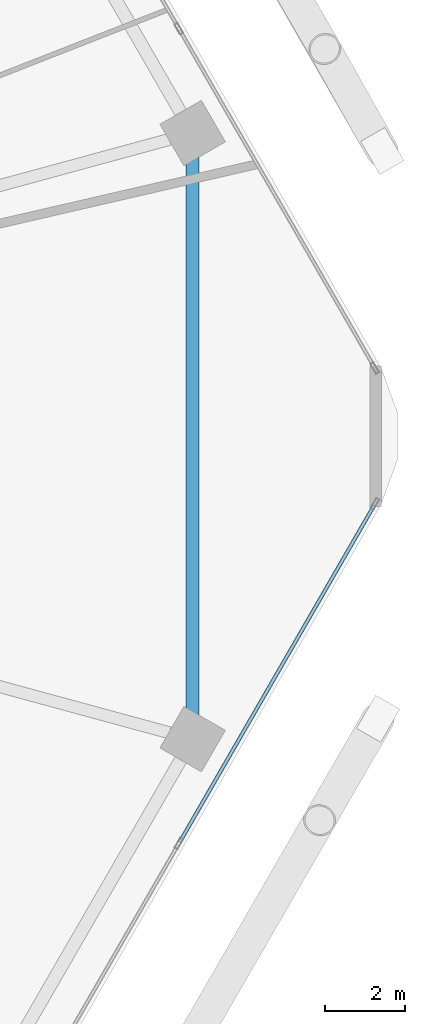
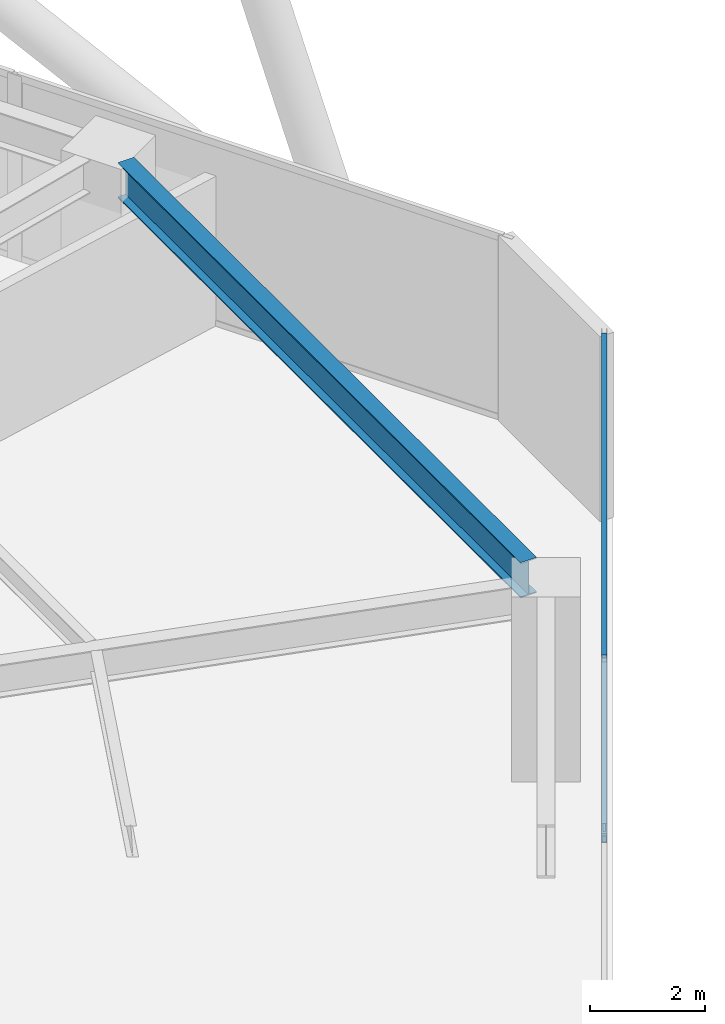
# One storey, part 12 of 29: 2 members, 1 beam, 1 element without a shape of its own.
"""IFC4 building model written with IfcOpenShell, lengths in metres."""

import ifcopenshell
import ifcopenshell.guid

model = None  # the IFC model being written
_history = None  # IfcOwnerHistory: only IFC2X3 demands one
_inside = {}  # id of a spatial element -> (the spatial element, [elements in it])
_under = {}  # id of a project, library or spatial element -> (it, [spatial elements below it])
_declared = {}  # id of a project -> (the project, [libraries it declares])
_typed = {}  # id of a type object -> (the type object, [elements of that type])
_made_of = {}  # id of a material, layer set ... -> (it, [elements and type objects made of it])


def new_model(schema):
    """Start an empty IFC model of exactly this schema.

    Asked for "IFC4X3", IfcOpenShell would pick the latest addendum, in which some entities
    have other attributes; the version numbers below select the first issue.
    IFC2X3 requires an IfcOwnerHistory on every rooted entity: one is made here for all.
    """
    global model, _history
    if schema == "IFC4X3":
        model = ifcopenshell.file(schema_version=(4, 3, 0, 0))
    else:
        model = ifcopenshell.file(schema=schema)
    _inside.clear()
    _under.clear()
    _declared.clear()
    _typed.clear()
    _made_of.clear()
    _history = None
    if model.schema == "IFC2X3":
        org = make("IfcOrganization", Name="unknown")
        user = make(
            "IfcPersonAndOrganization",
            ThePerson=make("IfcPerson", FamilyName="unknown"),
            TheOrganization=org,
        )
        app = make(
            "IfcApplication",
            ApplicationDeveloper=org,
            Version="unknown",
            ApplicationFullName="unknown",
            ApplicationIdentifier="unknown",
        )
        _history = make(
            "IfcOwnerHistory",
            OwningUser=user,
            OwningApplication=app,
            ChangeAction="ADDED",
            CreationDate=0,
        )
    return model


def make(cls, **values):
    """One entity of the class cls with the attributes given. An attribute that is None is left unset."""
    return model.create_entity(
        cls, **{name: value for name, value in values.items() if value is not None}
    )


def rooted(cls, **values):
    """An entity with a GlobalId (a new one), such as an element, a storey or a relation."""
    return make(cls, GlobalId=ifcopenshell.guid.new(), OwnerHistory=_history, **values)


def si_unit(unit_type, name, prefix=None):
    """IfcSIUnit, for example si_unit("LENGTHUNIT", "METRE", prefix="MILLI")."""
    return make("IfcSIUnit", UnitType=unit_type, Prefix=prefix, Name=name)


def assignment(units):
    """IfcUnitAssignment: the units of a project."""
    return None if units is None else make("IfcUnitAssignment", Units=units)


def point(xyz):
    """IfcCartesianPoint."""
    return None if xyz is None else make("IfcCartesianPoint", Coordinates=xyz)


def direction(xyz):
    """IfcDirection."""
    return None if xyz is None else make("IfcDirection", DirectionRatios=xyz)


def frame(location, z_axis=None, x_axis=None):
    """IfcAxis2Placement3D, a coordinate frame: its origin and axes. An axis left out is left unset."""
    return make(
        "IfcAxis2Placement3D",
        Location=point(location),
        Axis=direction(z_axis),
        RefDirection=direction(x_axis),
    )


def frame_2d(location, x_axis=None):
    """IfcAxis2Placement2D, a coordinate frame in the plane: its origin and x axis."""
    return make(
        "IfcAxis2Placement2D", Location=point(location), RefDirection=direction(x_axis)
    )


def origin():
    """The frame at (0, 0, 0) with its axes left unset."""
    return frame((0.0, 0.0, 0.0))


def origin_2d():
    """The frame at (0, 0) in the plane with its x axis left unset."""
    return frame_2d((0.0, 0.0))


def place(relative_to, where):
    """IfcLocalPlacement: puts the frame where relative to a parent placement (None: the world)."""
    return make(
        "IfcLocalPlacement", PlacementRelTo=relative_to, RelativePlacement=where
    )


def context(
    kind, dimensions, precision=None, world=None, true_north=None, identifier=None
):
    """IfcGeometricRepresentationContext, for example the 3D "Model" context."""
    return make(
        "IfcGeometricRepresentationContext",
        ContextIdentifier=identifier,
        ContextType=kind,
        CoordinateSpaceDimension=dimensions,
        Precision=precision,
        WorldCoordinateSystem=world,
        TrueNorth=true_north,
    )


def subcontext(parent, identifier, kind, view, scale=None):
    """IfcGeometricRepresentationSubContext, for example "Body" below "Model"."""
    return make(
        "IfcGeometricRepresentationSubContext",
        ContextIdentifier=identifier,
        ContextType=kind,
        ParentContext=parent,
        TargetScale=scale,
        TargetView=view,
    )


def project(units=None, contexts=None):
    """IfcProject with its units and contexts."""
    return rooted(
        "IfcProject",
        Name="project",
        RepresentationContexts=contexts,
        UnitsInContext=assignment(units),
    )


def spatial(cls, under=None, at=None, **own):
    """A site, building, storey or space (cls), placed at a placement, below another one or the project."""
    s = rooted(cls, ObjectPlacement=at, **own)
    if under is not None:
        _under.setdefault(under.id(), (under, []))[1].append(s)
    return s


def profile(cls, at=None, kind="AREA", **sizes):
    """A parametric profile (cls). Its sizes go by their IFC names, for example OverallWidth=200.0."""
    return make(cls, ProfileType=kind, Position=at, **sizes)


def hollow_rectangle(**sizes):
    """IfcRectangleHollowProfileDef."""
    return profile("IfcRectangleHollowProfileDef", **sizes)


def i_section(**sizes):
    """IfcIShapeProfileDef."""
    return profile("IfcIShapeProfileDef", **sizes)


def extrude(swept, where, along, depth):
    """IfcExtrudedAreaSolid: the profile swept, set in the frame where, extruded along a direction by depth."""
    return make(
        "IfcExtrudedAreaSolid",
        SweptArea=swept,
        Position=where,
        ExtrudedDirection=direction(along),
        Depth=depth,
    )


def shape(context_of_items, identifier, shape_type, items):
    """IfcShapeRepresentation: the items that make up one representation, for example the "Body"."""
    return make(
        "IfcShapeRepresentation",
        ContextOfItems=context_of_items,
        RepresentationIdentifier=identifier,
        RepresentationType=shape_type,
        Items=items,
    )


def material(Name=None, Category=None):
    """IfcMaterial."""
    return make("IfcMaterial", Name=Name, Category=Category)


def material_profile(
    of_material, cross_section, Name=None, Category=None, Priority=None
):
    """IfcMaterialProfile: a cross section and its material."""
    return make(
        "IfcMaterialProfile",
        Name=Name,
        Material=of_material,
        Profile=cross_section,
        Priority=Priority,
        Category=Category,
    )


def profile_set(profiles, Name=None, composite=None):
    """IfcMaterialProfileSet."""
    return make(
        "IfcMaterialProfileSet",
        Name=Name,
        MaterialProfiles=profiles,
        CompositeProfile=composite,
    )


def made_of(thing, what):
    """Note that an element or type object is made of a material, layer set ...; save() writes the relation."""
    if what is not None:
        _made_of.setdefault(what.id(), (what, []))[1].append(thing)
    return thing


def type_object(cls, material=None, **own):
    """A type object (cls), such as IfcWallType, which elements share."""
    return made_of(rooted(cls, **own), material)


def element(
    cls,
    number,
    at=None,
    inside=None,
    cuts=None,
    type_object=None,
    material=None,
    context=None,
    identifier="Body",
    shape_type=None,
    held_by="IfcProductDefinitionShape",
    body=None,
    shapes=None,
    **own,
):
    """One element of the class cls, such as IfcWall. Its Tag is "e" and its number.

    at: its placement. inside: the storey or other place that contains it. cuts: it is an
    opening in that element (IfcRelVoidsElement). A single representation is given by context,
    identifier, shape_type and body (its items); several are given by shapes. held_by: the class
    of the entity that holds the representations. save() writes the other relations.
    """
    e = rooted(cls, Tag="e%d" % number, ObjectPlacement=at, **own)
    if body is not None:
        shapes = [shape(context, identifier, shape_type, body)]
    if shapes is not None:
        e.Representation = make(held_by, Representations=shapes)
    if inside is not None:
        _inside.setdefault(inside.id(), (inside, []))[1].append(e)
    if cuts is not None:
        rooted(
            "IfcRelVoidsElement", RelatingBuildingElement=cuts, RelatedOpeningElement=e
        )
    if type_object is not None:
        _typed.setdefault(type_object.id(), (type_object, []))[1].append(e)
    return made_of(e, material)


def aggregate(whole, parts):
    """IfcRelAggregates: a whole, such as a stair, and the parts it consists of."""
    return rooted("IfcRelAggregates", RelatingObject=whole, RelatedObjects=parts)


def save(model, path):
    """Write the relations noted so far, then the file.

    IfcRelAggregates (storeys below a building ...), IfcRelContainedInSpatialStructure (elements
    in a storey), IfcRelDefinesByType, IfcRelAssociatesMaterial and IfcRelDeclares: one each for
    every whole, place, type object, material and project.
    """
    for whole, parts in _under.values():
        aggregate(whole, parts)
    for where, things in _inside.values():
        rooted(
            "IfcRelContainedInSpatialStructure",
            RelatedElements=things,
            RelatingStructure=where,
        )
    for kind, things in _typed.values():
        rooted("IfcRelDefinesByType", RelatedObjects=things, RelatingType=kind)
    for what, things in _made_of.values():
        rooted("IfcRelAssociatesMaterial", RelatedObjects=things, RelatingMaterial=what)
    for by, libraries in _declared.values():
        rooted("IfcRelDeclares", RelatingContext=by, RelatedDefinitions=libraries)
    model.write(path)


model = new_model("IFC4")

# Units and contexts
model_context = context("Model", 3, precision=1e-05, world=origin(), true_north=direction((0.0, 1.0)))
body_context = subcontext(model_context, "Body", "Model", "MODEL_VIEW")
ifc_project = project(units=[si_unit("LENGTHUNIT", "METRE"), si_unit("AREAUNIT", "SQUARE_METRE"), si_unit("VOLUMEUNIT", "CUBIC_METRE"), si_unit("PLANEANGLEUNIT", "RADIAN"), si_unit("MASSUNIT", "GRAM", prefix="KILO")], contexts=[model_context])

# Site, building, storey
site_placement = place(None, origin())
site = spatial("IfcSite", under=ifc_project, at=site_placement, CompositionType="ELEMENT")
building_placement = place(site_placement, origin())
building = spatial("IfcBuilding", under=site, at=building_placement, Name="Zuhravey Tower", CompositionType="ELEMENT")
storey_placement = place(building_placement, frame((0.0, 0.0, 41.39990234375)))
storey = spatial("IfcBuildingStorey", under=building, at=storey_placement, Name="L10", CompositionType="ELEMENT", Elevation=41.39990234375)

# Curtain wall, members
ifc_material_1 = material(Name="Thermally broken anodised aluminium", Category="aluminium")
curtain_wall_type = type_object("IfcCurtainWallType", Name="School Low-E Unitised Curtain Wall CW1", PredefinedType="NOTDEFINED", material=ifc_material_1)
curtain_wall_placement = place(storey_placement, origin())
curtain_wall = element("IfcCurtainWall", 1, at=curtain_wall_placement, inside=storey, type_object=curtain_wall_type, Name="L10 CW1 CW-L10-F6-1", PredefinedType="NOTDEFINED")
ifc_material_2 = material(Name="Anodised aluminium", Category="aluminium")
ifc_material_profile_1 = material_profile(ifc_material_2, hollow_rectangle(XDim=0.090087890625, YDim=0.14990234375, WallThickness=0.0048828125, at=origin_2d()), Name="ALU-RHS-90x150x5")
ifc_profile_set_1 = profile_set([ifc_material_profile_1], Name="Anodised aluminium")
member_type = type_object("IfcMemberType", Name="Curtain-Wall Transom 90x150", PredefinedType="USERDEFINED", material=ifc_profile_set_1)
member_1_placement = place(storey_placement, frame((68.43359375, 30.259521484375, 0.045166015625), z_axis=(-0.500008393077, -0.866020557985, 0.0), x_axis=(0.866020557985, -0.500008393077, 0.0)))
member_1 = element("IfcMember", 2, at=member_1_placement, type_object=member_type, Name="CW1 transom 1.1", ObjectType="TRANSOM", PredefinedType="USERDEFINED", context=body_context, shape_type="SweptSolid", body=[
    extrude(hollow_rectangle(XDim=0.090087890625, YDim=0.14990234375, WallThickness=0.0048828125, at=origin_2d()), origin(), (0.0, 0.0, 1.0), 9.731201171875),
])
member_2_placement = place(storey_placement, frame((68.43359375, 30.259521484375, 3.875), z_axis=(-0.500008393077, -0.866020557985, 0.0), x_axis=(0.866020557985, -0.500008393077, 0.0)))
member_2 = element("IfcMember", 3, at=member_2_placement, type_object=member_type, Name="CW1 transom 1.2", ObjectType="TRANSOM", PredefinedType="USERDEFINED", context=body_context, shape_type="SweptSolid", body=[
    extrude(hollow_rectangle(XDim=0.090087890625, YDim=0.14990234375, WallThickness=0.0048828125, at=origin_2d()), origin(), (0.0, 0.0, 1.0), 9.731201171875),
])
aggregate(curtain_wall, [member_1, member_2])

# Beam
ifc_material_3 = material(Name="Steel SM355", Category="steel")
ifc_material_profile_2 = material_profile(ifc_material_3, i_section(OverallWidth=0.320068359375, OverallDepth=0.75, WebThickness=0.013916015625, FlangeThickness=0.02490234375, at=origin_2d()), Name="H-750x320x14x25")
ifc_profile_set_2 = profile_set([ifc_material_profile_2], Name="Steel SM355")
beam_type = type_object("IfcBeamType", Name="Perimeter Ring Beam H750x320", PredefinedType="BEAM", material=ifc_profile_set_2)
beam_placement = place(storey_placement, frame((63.88916015625, 25.011474609375, 3.545166015625), z_axis=(0.0, 1.0, 0.0), x_axis=(-1.0, 0.0, 0.0)))
element("IfcBeam", 4, at=beam_placement, inside=storey, type_object=beam_type, Name="L10 PB1 BM-L10-PB-12", PredefinedType="BEAM", context=body_context, shape_type="SweptSolid", body=[
    extrude(i_section(OverallWidth=0.320068359375, OverallDepth=0.75, WebThickness=0.013916015625, FlangeThickness=0.02490234375, at=origin_2d()), origin(), (0.0, 0.0, 1.0), 13.97705078125),
])

save(model, "model.ifc")
